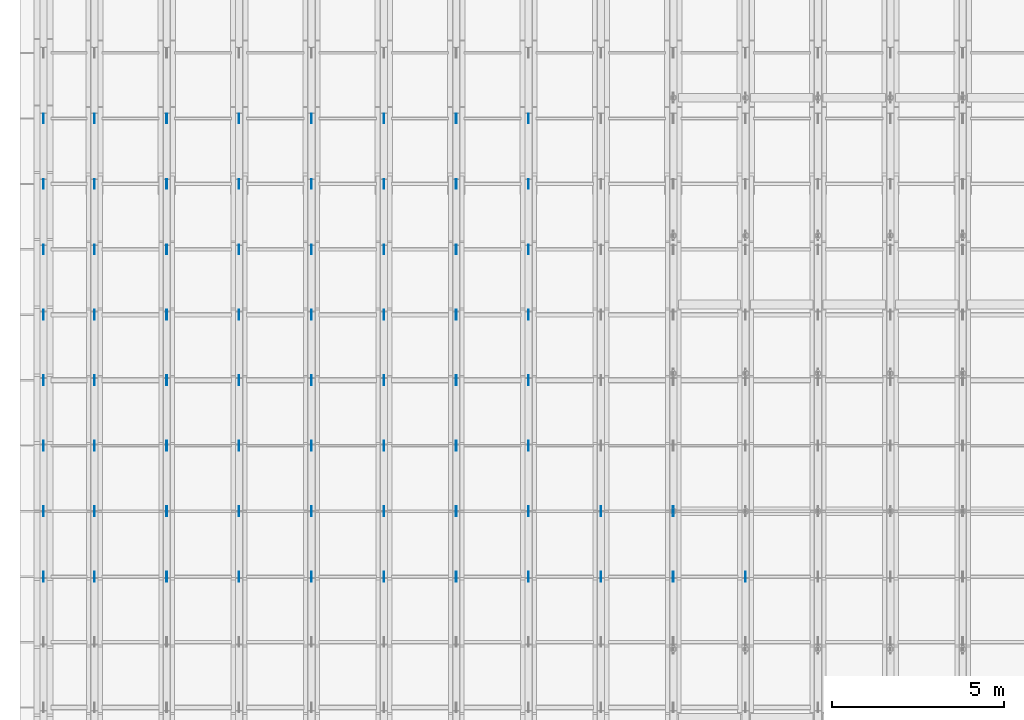
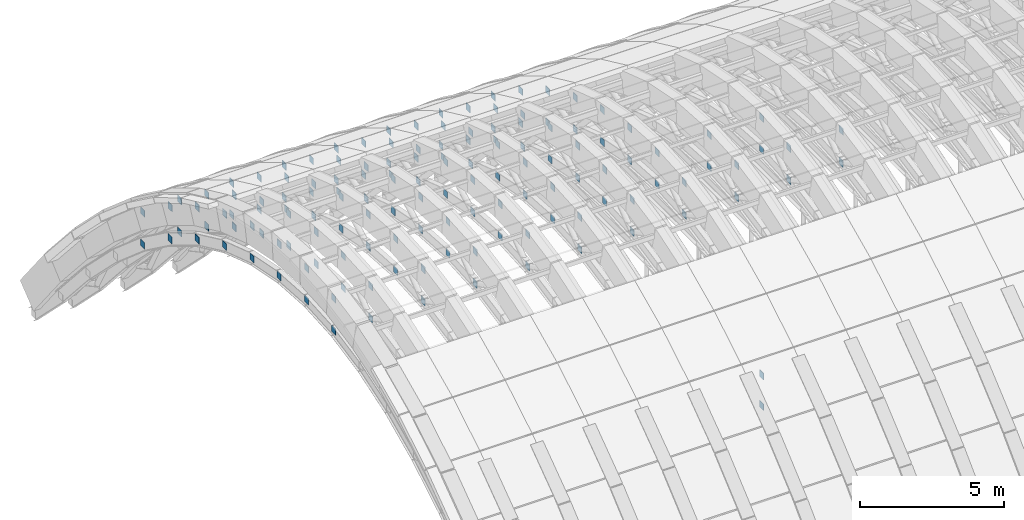
# One storey, part 60 of 67: 140 plates.
"""IFC4 building model written with IfcOpenShell, lengths in metres."""

import ifcopenshell
import ifcopenshell.guid

model = None  # the IFC model being written
_history = None  # IfcOwnerHistory: only IFC2X3 demands one
_inside = {}  # id of a spatial element -> (the spatial element, [elements in it])
_under = {}  # id of a project, library or spatial element -> (it, [spatial elements below it])
_declared = {}  # id of a project -> (the project, [libraries it declares])
_typed = {}  # id of a type object -> (the type object, [elements of that type])
_made_of = {}  # id of a material, layer set ... -> (it, [elements and type objects made of it])


def new_model(schema):
    """Start an empty IFC model of exactly this schema.

    Asked for "IFC4X3", IfcOpenShell would pick the latest addendum, in which some entities
    have other attributes; the version numbers below select the first issue.
    IFC2X3 requires an IfcOwnerHistory on every rooted entity: one is made here for all.
    """
    global model, _history
    if schema == "IFC4X3":
        model = ifcopenshell.file(schema_version=(4, 3, 0, 0))
    else:
        model = ifcopenshell.file(schema=schema)
    _inside.clear()
    _under.clear()
    _declared.clear()
    _typed.clear()
    _made_of.clear()
    _history = None
    if model.schema == "IFC2X3":
        org = make("IfcOrganization", Name="unknown")
        user = make(
            "IfcPersonAndOrganization",
            ThePerson=make("IfcPerson", FamilyName="unknown"),
            TheOrganization=org,
        )
        app = make(
            "IfcApplication",
            ApplicationDeveloper=org,
            Version="unknown",
            ApplicationFullName="unknown",
            ApplicationIdentifier="unknown",
        )
        _history = make(
            "IfcOwnerHistory",
            OwningUser=user,
            OwningApplication=app,
            ChangeAction="ADDED",
            CreationDate=0,
        )
    return model


def make(cls, **values):
    """One entity of the class cls with the attributes given. An attribute that is None is left unset."""
    return model.create_entity(
        cls, **{name: value for name, value in values.items() if value is not None}
    )


def rooted(cls, **values):
    """An entity with a GlobalId (a new one), such as an element, a storey or a relation."""
    return make(cls, GlobalId=ifcopenshell.guid.new(), OwnerHistory=_history, **values)


def si_unit(unit_type, name, prefix=None):
    """IfcSIUnit, for example si_unit("LENGTHUNIT", "METRE", prefix="MILLI")."""
    return make("IfcSIUnit", UnitType=unit_type, Prefix=prefix, Name=name)


def assignment(units):
    """IfcUnitAssignment: the units of a project."""
    return None if units is None else make("IfcUnitAssignment", Units=units)


def point(xyz):
    """IfcCartesianPoint."""
    return None if xyz is None else make("IfcCartesianPoint", Coordinates=xyz)


def direction(xyz):
    """IfcDirection."""
    return None if xyz is None else make("IfcDirection", DirectionRatios=xyz)


def frame(location, z_axis=None, x_axis=None):
    """IfcAxis2Placement3D, a coordinate frame: its origin and axes. An axis left out is left unset."""
    return make(
        "IfcAxis2Placement3D",
        Location=point(location),
        Axis=direction(z_axis),
        RefDirection=direction(x_axis),
    )


def frame_2d(location, x_axis=None):
    """IfcAxis2Placement2D, a coordinate frame in the plane: its origin and x axis."""
    return make(
        "IfcAxis2Placement2D", Location=point(location), RefDirection=direction(x_axis)
    )


def origin():
    """The frame at (0, 0, 0) with its axes left unset."""
    return frame((0.0, 0.0, 0.0))


def origin_2d():
    """The frame at (0, 0) in the plane with its x axis left unset."""
    return frame_2d((0.0, 0.0))


def place(relative_to, where):
    """IfcLocalPlacement: puts the frame where relative to a parent placement (None: the world)."""
    return make(
        "IfcLocalPlacement", PlacementRelTo=relative_to, RelativePlacement=where
    )


def context(
    kind, dimensions, precision=None, world=None, true_north=None, identifier=None
):
    """IfcGeometricRepresentationContext, for example the 3D "Model" context."""
    return make(
        "IfcGeometricRepresentationContext",
        ContextIdentifier=identifier,
        ContextType=kind,
        CoordinateSpaceDimension=dimensions,
        Precision=precision,
        WorldCoordinateSystem=world,
        TrueNorth=true_north,
    )


def subcontext(parent, identifier, kind, view, scale=None):
    """IfcGeometricRepresentationSubContext, for example "Body" below "Model"."""
    return make(
        "IfcGeometricRepresentationSubContext",
        ContextIdentifier=identifier,
        ContextType=kind,
        ParentContext=parent,
        TargetScale=scale,
        TargetView=view,
    )


def project(units=None, contexts=None):
    """IfcProject with its units and contexts."""
    return rooted(
        "IfcProject",
        Name="project",
        RepresentationContexts=contexts,
        UnitsInContext=assignment(units),
    )


def spatial(cls, under=None, at=None, **own):
    """A site, building, storey or space (cls), placed at a placement, below another one or the project."""
    s = rooted(cls, ObjectPlacement=at, **own)
    if under is not None:
        _under.setdefault(under.id(), (under, []))[1].append(s)
    return s


def profile(cls, at=None, kind="AREA", **sizes):
    """A parametric profile (cls). Its sizes go by their IFC names, for example OverallWidth=200.0."""
    return make(cls, ProfileType=kind, Position=at, **sizes)


def rectangle(**sizes):
    """IfcRectangleProfileDef."""
    return profile("IfcRectangleProfileDef", **sizes)


def extrude(swept, where, along, depth):
    """IfcExtrudedAreaSolid: the profile swept, set in the frame where, extruded along a direction by depth."""
    return make(
        "IfcExtrudedAreaSolid",
        SweptArea=swept,
        Position=where,
        ExtrudedDirection=direction(along),
        Depth=depth,
    )


def shape(context_of_items, identifier, shape_type, items):
    """IfcShapeRepresentation: the items that make up one representation, for example the "Body"."""
    return make(
        "IfcShapeRepresentation",
        ContextOfItems=context_of_items,
        RepresentationIdentifier=identifier,
        RepresentationType=shape_type,
        Items=items,
    )


def material(Name=None, Category=None):
    """IfcMaterial."""
    return make("IfcMaterial", Name=Name, Category=Category)


def layer(
    of_material, thickness, ventilated=None, Name=None, Category=None, Priority=None
):
    """IfcMaterialLayer: one layer of a wall or slab, of a material (None: an air gap)."""
    return make(
        "IfcMaterialLayer",
        Material=of_material,
        LayerThickness=thickness,
        IsVentilated=ventilated,
        Name=Name,
        Category=Category,
        Priority=Priority,
    )


def layer_set(layers, Name=None):
    """IfcMaterialLayerSet."""
    return make("IfcMaterialLayerSet", MaterialLayers=layers, LayerSetName=Name)


def made_of(thing, what):
    """Note that an element or type object is made of a material, layer set ...; save() writes the relation."""
    if what is not None:
        _made_of.setdefault(what.id(), (what, []))[1].append(thing)
    return thing


def type_object(cls, material=None, **own):
    """A type object (cls), such as IfcWallType, which elements share."""
    return made_of(rooted(cls, **own), material)


def element(
    cls,
    number,
    at=None,
    inside=None,
    cuts=None,
    type_object=None,
    material=None,
    context=None,
    identifier="Body",
    shape_type=None,
    held_by="IfcProductDefinitionShape",
    body=None,
    shapes=None,
    **own,
):
    """One element of the class cls, such as IfcWall. Its Tag is "e" and its number.

    at: its placement. inside: the storey or other place that contains it. cuts: it is an
    opening in that element (IfcRelVoidsElement). A single representation is given by context,
    identifier, shape_type and body (its items); several are given by shapes. held_by: the class
    of the entity that holds the representations. save() writes the other relations.
    """
    e = rooted(cls, Tag="e%d" % number, ObjectPlacement=at, **own)
    if body is not None:
        shapes = [shape(context, identifier, shape_type, body)]
    if shapes is not None:
        e.Representation = make(held_by, Representations=shapes)
    if inside is not None:
        _inside.setdefault(inside.id(), (inside, []))[1].append(e)
    if cuts is not None:
        rooted(
            "IfcRelVoidsElement", RelatingBuildingElement=cuts, RelatedOpeningElement=e
        )
    if type_object is not None:
        _typed.setdefault(type_object.id(), (type_object, []))[1].append(e)
    return made_of(e, material)


def aggregate(whole, parts):
    """IfcRelAggregates: a whole, such as a stair, and the parts it consists of."""
    return rooted("IfcRelAggregates", RelatingObject=whole, RelatedObjects=parts)


def save(model, path):
    """Write the relations noted so far, then the file.

    IfcRelAggregates (storeys below a building ...), IfcRelContainedInSpatialStructure (elements
    in a storey), IfcRelDefinesByType, IfcRelAssociatesMaterial and IfcRelDeclares: one each for
    every whole, place, type object, material and project.
    """
    for whole, parts in _under.values():
        aggregate(whole, parts)
    for where, things in _inside.values():
        rooted(
            "IfcRelContainedInSpatialStructure",
            RelatedElements=things,
            RelatingStructure=where,
        )
    for kind, things in _typed.values():
        rooted("IfcRelDefinesByType", RelatedObjects=things, RelatingType=kind)
    for what, things in _made_of.values():
        rooted("IfcRelAssociatesMaterial", RelatedObjects=things, RelatingMaterial=what)
    for by, libraries in _declared.values():
        rooted("IfcRelDeclares", RelatingContext=by, RelatedDefinitions=libraries)
    model.write(path)


model = new_model("IFC4")

# Units and contexts
model_context = context("Model", 3, precision=1e-05, world=origin(), true_north=direction((0.0, 1.0)))
body_context = subcontext(model_context, "Body", "Model", "MODEL_VIEW")
ifc_project = project(units=[si_unit("LENGTHUNIT", "METRE"), si_unit("AREAUNIT", "SQUARE_METRE"), si_unit("VOLUMEUNIT", "CUBIC_METRE"), si_unit("PLANEANGLEUNIT", "RADIAN"), si_unit("MASSUNIT", "GRAM", prefix="KILO")], contexts=[model_context])

# Site, building, storey
site_placement = place(None, origin())
site = spatial("IfcSite", under=ifc_project, at=site_placement, CompositionType="ELEMENT")
building_placement = place(site_placement, origin())
building = spatial("IfcBuilding", under=site, at=building_placement, Name="Shengluoqiao Park Theatre", CompositionType="ELEMENT")
storey_placement = place(building_placement, frame((0.0, 0.0, 28.60009765625)))
storey = spatial("IfcBuildingStorey", under=building, at=storey_placement, Name="Roof", CompositionType="ELEMENT", Elevation=28.60009765625)

# Plates
ifc_material = material(Name="Steel Q355", Category="steel")
ifc_layer = layer(ifc_material, 0.013916015625, Name="Steel Q355")
ifc_layer_set = layer_set([ifc_layer], Name="Steel Q355")
plate_type = type_object("IfcPlateType", Name="STR-PLT-EC-280", PredefinedType="SHEET", material=ifc_layer_set)
for number, where, z_axis, x_axis, name in (
    (1, (45.02001953125, 93.10009765625, 2.31396484375), (0.0, 0.0, 1.0), (1.0, 0.0, 0.0), "Arch Truss Node Gusset Plate R01-U09"),
    (2, (45.02001953125, 93.10009765625, 0.9541015625), (0.0, 0.0, 1.0), (1.0, 0.0, 0.0), "Arch Truss Node Gusset Plate R01-L09"),
    (3, (45.02001953125, 95.0, 2.43994140625), (0.0, 0.0, 1.0), (1.0, 0.0, 0.0), "Arch Truss Node Gusset Plate R01-U10"),
    (4, (45.02001953125, 95.0, 1.080078125), (0.0, 0.0, 1.0), (1.0, 0.0, 0.0), "Arch Truss Node Gusset Plate R01-L10"),
    (5, (45.02001953125, 96.89990234375, 2.31396484375), (0.0, 0.0, 1.0), (1.0, 0.0, 0.0), "Arch Truss Node Gusset Plate R01-U11"),
    (6, (45.02001953125, 96.89990234375, 0.9541015625), (0.0, 0.0, 1.0), (1.0, 0.0, 0.0), "Arch Truss Node Gusset Plate R01-L11"),
    (7, (45.02001953125, 98.800048828125, 1.93603515625), (0.0, 0.0, 1.0), (1.0, 0.0, 0.0), "Arch Truss Node Gusset Plate R01-U12"),
    (8, (45.02001953125, 98.800048828125, 0.57568359375), (0.0, 0.0, 1.0), (1.0, 0.0, 0.0), "Arch Truss Node Gusset Plate R01-L12"),
    (9, (45.02001953125, 100.699951171875, 1.3056640625), (0.0, 0.0, 1.0), (1.0, 0.0, 0.0), "Arch Truss Node Gusset Plate R01-U13"),
    (10, (45.02001953125, 100.699951171875, -0.05419921875), (0.0, 0.0, 1.0), (1.0, 0.0, 0.0), "Arch Truss Node Gusset Plate R01-L13"),
    (11, (45.02001953125, 102.60009765625, 0.423828125), (0.0, 0.0, 1.0), (1.0, 0.0, 0.0), "Arch Truss Node Gusset Plate R01-U14"),
    (12, (45.02001953125, 102.60009765625, -0.93603515625), (0.0, 0.0, 1.0), (1.0, 0.0, 0.0), "Arch Truss Node Gusset Plate R01-L14"),
    (13, (45.02001953125, 104.5, -0.7099609375), (0.0, 0.0, 1.0), (1.0, 0.0, 0.0), "Arch Truss Node Gusset Plate R01-U15"),
    (14, (45.02001953125, 104.5, -2.0703125), (0.0, 0.0, 1.0), (1.0, 0.0, 0.0), "Arch Truss Node Gusset Plate R01-L15"),
    (15, (45.02001953125, 106.39990234375, -2.09619140625), (0.0, 0.0, 1.0), (1.0, 0.0, 0.0), "Arch Truss Node Gusset Plate R01-U16"),
    (16, (45.02001953125, 106.39990234375, -3.4560546875), (0.0, 0.0, 1.0), (1.0, 0.0, 0.0), "Arch Truss Node Gusset Plate R01-L16"),
    (17, (46.5, 93.10009765625, 2.31396484375), (0.0, 0.0, 1.0), (1.0, 0.0, 0.0), "Arch Truss Node Gusset Plate R02-U09"),
    (18, (46.5, 93.10009765625, 0.9541015625), (0.0, 0.0, 1.0), (1.0, 0.0, 0.0), "Arch Truss Node Gusset Plate R02-L09"),
    (19, (46.5, 95.0, 2.43994140625), (0.0, 0.0, 1.0), (1.0, 0.0, 0.0), "Arch Truss Node Gusset Plate R02-U10"),
    (20, (46.5, 95.0, 1.080078125), (0.0, 0.0, 1.0), (1.0, 0.0, 0.0), "Arch Truss Node Gusset Plate R02-L10"),
    (21, (46.5, 96.89990234375, 2.31396484375), (0.0, 0.0, 1.0), (1.0, 0.0, 0.0), "Arch Truss Node Gusset Plate R02-U11"),
    (22, (46.5, 96.89990234375, 0.9541015625), (0.0, 0.0, 1.0), (1.0, 0.0, 0.0), "Arch Truss Node Gusset Plate R02-L11"),
    (23, (46.5, 98.800048828125, 1.93603515625), (0.0, 0.0, 1.0), (1.0, 0.0, 0.0), "Arch Truss Node Gusset Plate R02-U12"),
    (24, (46.5, 98.800048828125, 0.57568359375), (0.0, 0.0, 1.0), (1.0, 0.0, 0.0), "Arch Truss Node Gusset Plate R02-L12"),
    (25, (46.5, 100.699951171875, 1.3056640625), (0.0, 0.0, 1.0), (1.0, 0.0, 0.0), "Arch Truss Node Gusset Plate R02-U13"),
    (26, (46.5, 100.699951171875, -0.05419921875), (0.0, 0.0, 1.0), (1.0, 0.0, 0.0), "Arch Truss Node Gusset Plate R02-L13"),
    (27, (46.5, 102.60009765625, 0.423828125), (0.0, 0.0, 1.0), (1.0, 0.0, 0.0), "Arch Truss Node Gusset Plate R02-U14"),
    (28, (46.5, 102.60009765625, -0.93603515625), (0.0, 0.0, 1.0), (1.0, 0.0, 0.0), "Arch Truss Node Gusset Plate R02-L14"),
    (29, (46.5, 104.5, -0.7099609375), (0.0, 0.0, 1.0), (1.0, 0.0, 0.0), "Arch Truss Node Gusset Plate R02-U15"),
    (30, (46.5, 104.5, -2.0703125), (0.0, 0.0, 1.0), (1.0, 0.0, 0.0), "Arch Truss Node Gusset Plate R02-L15"),
    (31, (46.5, 106.39990234375, -2.09619140625), (0.0, 0.0, 1.0), (1.0, 0.0, 0.0), "Arch Truss Node Gusset Plate R02-U16"),
    (32, (46.5, 106.39990234375, -3.4560546875), (0.0, 0.0, 1.0), (1.0, 0.0, 0.0), "Arch Truss Node Gusset Plate R02-L16"),
    (33, (48.60009765625, 93.10009765625, 2.31396484375), (0.0, 0.0, 1.0), (1.0, 0.0, 0.0), "Arch Truss Node Gusset Plate R03-U09"),
    (34, (48.60009765625, 93.10009765625, 0.9541015625), (0.0, 0.0, 1.0), (1.0, 0.0, 0.0), "Arch Truss Node Gusset Plate R03-L09"),
    (35, (48.60009765625, 95.0, 2.43994140625), (0.0, 0.0, 1.0), (1.0, 0.0, 0.0), "Arch Truss Node Gusset Plate R03-U10"),
    (36, (48.60009765625, 95.0, 1.080078125), (0.0, 0.0, 1.0), (1.0, 0.0, 0.0), "Arch Truss Node Gusset Plate R03-L10"),
    (37, (48.60009765625, 96.89990234375, 2.31396484375), (0.0, 0.0, 1.0), (1.0, 0.0, 0.0), "Arch Truss Node Gusset Plate R03-U11"),
    (38, (48.60009765625, 96.89990234375, 0.9541015625), (0.0, 0.0, 1.0), (1.0, 0.0, 0.0), "Arch Truss Node Gusset Plate R03-L11"),
    (39, (48.60009765625, 98.800048828125, 1.93603515625), (0.0, 0.0, 1.0), (1.0, 0.0, 0.0), "Arch Truss Node Gusset Plate R03-U12"),
    (40, (48.60009765625, 98.800048828125, 0.57568359375), (0.0, 0.0, 1.0), (1.0, 0.0, 0.0), "Arch Truss Node Gusset Plate R03-L12"),
    (41, (48.60009765625, 100.699951171875, 1.3056640625), (0.0, 0.0, 1.0), (1.0, 0.0, 0.0), "Arch Truss Node Gusset Plate R03-U13"),
    (42, (48.60009765625, 100.699951171875, -0.05419921875), (0.0, 0.0, 1.0), (1.0, 0.0, 0.0), "Arch Truss Node Gusset Plate R03-L13"),
    (43, (48.60009765625, 102.60009765625, 0.423828125), (0.0, 0.0, 1.0), (1.0, 0.0, 0.0), "Arch Truss Node Gusset Plate R03-U14"),
    (44, (48.60009765625, 102.60009765625, -0.93603515625), (0.0, 0.0, 1.0), (1.0, 0.0, 0.0), "Arch Truss Node Gusset Plate R03-L14"),
    (45, (48.60009765625, 104.5, -0.7099609375), (0.0, 0.0, 1.0), (1.0, 0.0, 0.0), "Arch Truss Node Gusset Plate R03-U15"),
    (46, (48.60009765625, 104.5, -2.0703125), (0.0, 0.0, 1.0), (1.0, 0.0, 0.0), "Arch Truss Node Gusset Plate R03-L15"),
    (47, (48.60009765625, 106.39990234375, -2.09619140625), (0.0, 0.0, 1.0), (1.0, 0.0, 0.0), "Arch Truss Node Gusset Plate R03-U16"),
    (48, (48.60009765625, 106.39990234375, -3.4560546875), (0.0, 0.0, 1.0), (1.0, 0.0, 0.0), "Arch Truss Node Gusset Plate R03-L16"),
    (49, (50.699951171875, 93.10009765625, 2.31396484375), (0.0, 0.0, 1.0), (1.0, 0.0, 0.0), "Arch Truss Node Gusset Plate R04-U09"),
    (50, (50.699951171875, 93.10009765625, 0.9541015625), (0.0, 0.0, 1.0), (1.0, 0.0, 0.0), "Arch Truss Node Gusset Plate R04-L09"),
    (51, (50.699951171875, 95.0, 2.43994140625), (0.0, 0.0, 1.0), (1.0, 0.0, 0.0), "Arch Truss Node Gusset Plate R04-U10"),
    (52, (50.699951171875, 95.0, 1.080078125), (0.0, 0.0, 1.0), (1.0, 0.0, 0.0), "Arch Truss Node Gusset Plate R04-L10"),
    (53, (50.699951171875, 96.89990234375, 2.31396484375), (0.0, 0.0, 1.0), (1.0, 0.0, 0.0), "Arch Truss Node Gusset Plate R04-U11"),
    (54, (50.699951171875, 96.89990234375, 0.9541015625), (0.0, 0.0, 1.0), (1.0, 0.0, 0.0), "Arch Truss Node Gusset Plate R04-L11"),
    (55, (50.699951171875, 98.800048828125, 1.93603515625), (0.0, 0.0, 1.0), (1.0, 0.0, 0.0), "Arch Truss Node Gusset Plate R04-U12"),
    (56, (50.699951171875, 98.800048828125, 0.57568359375), (0.0, 0.0, 1.0), (1.0, 0.0, 0.0), "Arch Truss Node Gusset Plate R04-L12"),
    (57, (50.699951171875, 100.699951171875, 1.3056640625), (0.0, 0.0, 1.0), (1.0, 0.0, 0.0), "Arch Truss Node Gusset Plate R04-U13"),
    (58, (50.699951171875, 100.699951171875, -0.05419921875), (0.0, 0.0, 1.0), (1.0, 0.0, 0.0), "Arch Truss Node Gusset Plate R04-L13"),
    (59, (50.699951171875, 102.60009765625, 0.423828125), (0.0, 0.0, 1.0), (1.0, 0.0, 0.0), "Arch Truss Node Gusset Plate R04-U14"),
    (60, (50.699951171875, 102.60009765625, -0.93603515625), (0.0, 0.0, 1.0), (1.0, 0.0, 0.0), "Arch Truss Node Gusset Plate R04-L14"),
    (61, (50.699951171875, 104.5, -0.7099609375), (0.0, 0.0, 1.0), (1.0, 0.0, 0.0), "Arch Truss Node Gusset Plate R04-U15"),
    (62, (50.699951171875, 104.5, -2.0703125), (0.0, 0.0, 1.0), (1.0, 0.0, 0.0), "Arch Truss Node Gusset Plate R04-L15"),
    (63, (50.699951171875, 106.39990234375, -2.09619140625), (0.0, 0.0, 1.0), (1.0, 0.0, 0.0), "Arch Truss Node Gusset Plate R04-U16"),
    (64, (50.699951171875, 106.39990234375, -3.4560546875), (0.0, 0.0, 1.0), (1.0, 0.0, 0.0), "Arch Truss Node Gusset Plate R04-L16"),
    (65, (52.800048828125, 93.10009765625, 2.31396484375), (0.0, 0.0, 1.0), (1.0, 0.0, 0.0), "Arch Truss Node Gusset Plate R05-U09"),
    (66, (52.800048828125, 93.10009765625, 0.9541015625), (0.0, 0.0, 1.0), (1.0, 0.0, 0.0), "Arch Truss Node Gusset Plate R05-L09"),
    (67, (52.800048828125, 95.0, 2.43994140625), (0.0, 0.0, 1.0), (1.0, 0.0, 0.0), "Arch Truss Node Gusset Plate R05-U10"),
    (68, (52.800048828125, 95.0, 1.080078125), (0.0, 0.0, 1.0), (1.0, 0.0, 0.0), "Arch Truss Node Gusset Plate R05-L10"),
    (69, (52.800048828125, 96.89990234375, 2.31396484375), (0.0, 0.0, 1.0), (1.0, 0.0, 0.0), "Arch Truss Node Gusset Plate R05-U11"),
    (70, (52.800048828125, 96.89990234375, 0.9541015625), (0.0, 0.0, 1.0), (1.0, 0.0, 0.0), "Arch Truss Node Gusset Plate R05-L11"),
    (71, (52.800048828125, 98.800048828125, 1.93603515625), (0.0, 0.0, 1.0), (1.0, 0.0, 0.0), "Arch Truss Node Gusset Plate R05-U12"),
    (72, (52.800048828125, 98.800048828125, 0.57568359375), (0.0, 0.0, 1.0), (1.0, 0.0, 0.0), "Arch Truss Node Gusset Plate R05-L12"),
    (73, (52.800048828125, 100.699951171875, 1.3056640625), (0.0, 0.0, 1.0), (1.0, 0.0, 0.0), "Arch Truss Node Gusset Plate R05-U13"),
    (74, (52.800048828125, 100.699951171875, -0.05419921875), (0.0, 0.0, 1.0), (1.0, 0.0, 0.0), "Arch Truss Node Gusset Plate R05-L13"),
    (75, (52.800048828125, 102.60009765625, 0.423828125), (0.0, 0.0, 1.0), (1.0, 0.0, 0.0), "Arch Truss Node Gusset Plate R05-U14"),
    (76, (52.800048828125, 102.60009765625, -0.93603515625), (0.0, 0.0, 1.0), (1.0, 0.0, 0.0), "Arch Truss Node Gusset Plate R05-L14"),
    (77, (52.800048828125, 104.5, -0.7099609375), (0.0, 0.0, 1.0), (1.0, 0.0, 0.0), "Arch Truss Node Gusset Plate R05-U15"),
    (78, (52.800048828125, 104.5, -2.0703125), (0.0, 0.0, 1.0), (1.0, 0.0, 0.0), "Arch Truss Node Gusset Plate R05-L15"),
    (79, (52.800048828125, 106.39990234375, -2.09619140625), (0.0, 0.0, 1.0), (1.0, 0.0, 0.0), "Arch Truss Node Gusset Plate R05-U16"),
    (80, (52.800048828125, 106.39990234375, -3.4560546875), (0.0, 0.0, 1.0), (1.0, 0.0, 0.0), "Arch Truss Node Gusset Plate R05-L16"),
    (81, (54.89990234375, 93.10009765625, 2.31396484375), (0.0, 0.0, 1.0), (1.0, 0.0, 0.0), "Arch Truss Node Gusset Plate R06-U09"),
    (82, (54.89990234375, 93.10009765625, 0.9541015625), (0.0, 0.0, 1.0), (1.0, 0.0, 0.0), "Arch Truss Node Gusset Plate R06-L09"),
    (83, (54.89990234375, 95.0, 2.43994140625), (0.0, 0.0, 1.0), (1.0, 0.0, 0.0), "Arch Truss Node Gusset Plate R06-U10"),
    (84, (54.89990234375, 95.0, 1.080078125), (0.0, 0.0, 1.0), (1.0, 0.0, 0.0), "Arch Truss Node Gusset Plate R06-L10"),
    (85, (54.89990234375, 96.89990234375, 2.31396484375), (0.0, 0.0, 1.0), (1.0, 0.0, 0.0), "Arch Truss Node Gusset Plate R06-U11"),
    (86, (54.89990234375, 96.89990234375, 0.9541015625), (0.0, 0.0, 1.0), (1.0, 0.0, 0.0), "Arch Truss Node Gusset Plate R06-L11"),
    (87, (54.89990234375, 98.800048828125, 1.93603515625), (0.0, 0.0, 1.0), (1.0, 0.0, 0.0), "Arch Truss Node Gusset Plate R06-U12"),
    (88, (54.89990234375, 98.800048828125, 0.57568359375), (0.0, 0.0, 1.0), (1.0, 0.0, 0.0), "Arch Truss Node Gusset Plate R06-L12"),
    (89, (54.89990234375, 100.699951171875, 1.3056640625), (0.0, 0.0, 1.0), (1.0, 0.0, 0.0), "Arch Truss Node Gusset Plate R06-U13"),
    (90, (54.89990234375, 100.699951171875, -0.05419921875), (0.0, 0.0, 1.0), (1.0, 0.0, 0.0), "Arch Truss Node Gusset Plate R06-L13"),
    (91, (54.89990234375, 102.60009765625, 0.423828125), (0.0, 0.0, 1.0), (1.0, 0.0, 0.0), "Arch Truss Node Gusset Plate R06-U14"),
    (92, (54.89990234375, 102.60009765625, -0.93603515625), (0.0, 0.0, 1.0), (1.0, 0.0, 0.0), "Arch Truss Node Gusset Plate R06-L14"),
    (93, (54.89990234375, 104.5, -0.7099609375), (0.0, 0.0, 1.0), (1.0, 0.0, 0.0), "Arch Truss Node Gusset Plate R06-U15"),
    (94, (54.89990234375, 104.5, -2.0703125), (0.0, 0.0, 1.0), (1.0, 0.0, 0.0), "Arch Truss Node Gusset Plate R06-L15"),
    (95, (54.89990234375, 106.39990234375, -2.09619140625), (0.0, 0.0, 1.0), (1.0, 0.0, 0.0), "Arch Truss Node Gusset Plate R06-U16"),
    (96, (54.89990234375, 106.39990234375, -3.4560546875), (0.0, 0.0, 1.0), (1.0, 0.0, 0.0), "Arch Truss Node Gusset Plate R06-L16"),
    (97, (57.0, 93.10009765625, 2.31396484375), (0.0, 0.0, 1.0), (1.0, 0.0, 0.0), "Arch Truss Node Gusset Plate R07-U09"),
    (98, (57.0, 93.10009765625, 0.9541015625), (0.0, 0.0, 1.0), (1.0, 0.0, 0.0), "Arch Truss Node Gusset Plate R07-L09"),
    (99, (57.0, 95.0, 2.43994140625), (0.0, 0.0, 1.0), (1.0, 0.0, 0.0), "Arch Truss Node Gusset Plate R07-U10"),
    (100, (57.0, 95.0, 1.080078125), (0.0, 0.0, 1.0), (1.0, 0.0, 0.0), "Arch Truss Node Gusset Plate R07-L10"),
    (101, (57.0, 96.89990234375, 2.31396484375), (0.0, 0.0, 1.0), (1.0, 0.0, 0.0), "Arch Truss Node Gusset Plate R07-U11"),
    (102, (57.0, 96.89990234375, 0.9541015625), (0.0, 0.0, 1.0), (1.0, 0.0, 0.0), "Arch Truss Node Gusset Plate R07-L11"),
    (103, (57.0, 98.800048828125, 1.93603515625), (0.0, 0.0, 1.0), (1.0, 0.0, 0.0), "Arch Truss Node Gusset Plate R07-U12"),
    (104, (57.0, 98.800048828125, 0.57568359375), (0.0, 0.0, 1.0), (1.0, 0.0, 0.0), "Arch Truss Node Gusset Plate R07-L12"),
    (105, (57.0, 100.699951171875, 1.3056640625), (0.0, 0.0, 1.0), (1.0, 0.0, 0.0), "Arch Truss Node Gusset Plate R07-U13"),
    (106, (57.0, 100.699951171875, -0.05419921875), (0.0, 0.0, 1.0), (1.0, 0.0, 0.0), "Arch Truss Node Gusset Plate R07-L13"),
    (107, (57.0, 102.60009765625, 0.423828125), (0.0, 0.0, 1.0), (1.0, 0.0, 0.0), "Arch Truss Node Gusset Plate R07-U14"),
    (108, (57.0, 102.60009765625, -0.93603515625), (0.0, 0.0, 1.0), (1.0, 0.0, 0.0), "Arch Truss Node Gusset Plate R07-L14"),
    (109, (57.0, 104.5, -0.7099609375), (0.0, 0.0, 1.0), (1.0, 0.0, 0.0), "Arch Truss Node Gusset Plate R07-U15"),
    (110, (57.0, 104.5, -2.0703125), (0.0, 0.0, 1.0), (1.0, 0.0, 0.0), "Arch Truss Node Gusset Plate R07-L15"),
    (111, (57.0, 106.39990234375, -2.09619140625), (0.0, 0.0, 1.0), (1.0, 0.0, 0.0), "Arch Truss Node Gusset Plate R07-U16"),
    (112, (57.0, 106.39990234375, -3.4560546875), (0.0, 0.0, 1.0), (1.0, 0.0, 0.0), "Arch Truss Node Gusset Plate R07-L16"),
    (113, (59.10009765625, 93.10009765625, 2.31396484375), (0.0, 0.0, 1.0), (1.0, 0.0, 0.0), "Arch Truss Node Gusset Plate R08-U09"),
    (114, (59.10009765625, 93.10009765625, 0.9541015625), (0.0, 0.0, 1.0), (1.0, 0.0, 0.0), "Arch Truss Node Gusset Plate R08-L09"),
    (115, (59.10009765625, 95.0, 2.43994140625), (0.0, 0.0, 1.0), (1.0, 0.0, 0.0), "Arch Truss Node Gusset Plate R08-U10"),
    (116, (59.10009765625, 95.0, 1.080078125), (0.0, 0.0, 1.0), (1.0, 0.0, 0.0), "Arch Truss Node Gusset Plate R08-L10"),
    (117, (59.10009765625, 96.89990234375, 2.31396484375), (0.0, 0.0, 1.0), (1.0, 0.0, 0.0), "Arch Truss Node Gusset Plate R08-U11"),
    (118, (59.10009765625, 96.89990234375, 0.9541015625), (0.0, 0.0, 1.0), (1.0, 0.0, 0.0), "Arch Truss Node Gusset Plate R08-L11"),
    (119, (59.10009765625, 98.800048828125, 1.93603515625), (0.0, 0.0, 1.0), (1.0, 0.0, 0.0), "Arch Truss Node Gusset Plate R08-U12"),
    (120, (59.10009765625, 98.800048828125, 0.57568359375), (0.0, 0.0, 1.0), (1.0, 0.0, 0.0), "Arch Truss Node Gusset Plate R08-L12"),
    (121, (59.10009765625, 100.699951171875, 1.3056640625), (0.0, 0.0, 1.0), (1.0, 0.0, 0.0), "Arch Truss Node Gusset Plate R08-U13"),
    (122, (59.10009765625, 100.699951171875, -0.05419921875), (0.0, 0.0, 1.0), (1.0, 0.0, 0.0), "Arch Truss Node Gusset Plate R08-L13"),
    (123, (59.10009765625, 102.60009765625, 0.423828125), (0.0, 0.0, 1.0), (1.0, 0.0, 0.0), "Arch Truss Node Gusset Plate R08-U14"),
    (124, (59.10009765625, 102.60009765625, -0.93603515625), (0.0, 0.0, 1.0), (1.0, 0.0, 0.0), "Arch Truss Node Gusset Plate R08-L14"),
    (125, (59.10009765625, 104.5, -0.7099609375), (0.0, 0.0, 1.0), (1.0, 0.0, 0.0), "Arch Truss Node Gusset Plate R08-U15"),
    (126, (59.10009765625, 104.5, -2.0703125), (0.0, 0.0, 1.0), (1.0, 0.0, 0.0), "Arch Truss Node Gusset Plate R08-L15"),
    (127, (59.10009765625, 106.39990234375, -2.09619140625), (0.0, 0.0, 1.0), (1.0, 0.0, 0.0), "Arch Truss Node Gusset Plate R08-U16"),
    (128, (59.10009765625, 106.39990234375, -3.4560546875), (0.0, 0.0, 1.0), (1.0, 0.0, 0.0), "Arch Truss Node Gusset Plate R08-L16"),
    (129, (61.199951171875, 93.10009765625, 2.31396484375), (0.0, 0.0, 1.0), (1.0, 0.0, 0.0), "Arch Truss Node Gusset Plate R09-U09"),
    (130, (61.199951171875, 93.10009765625, 0.9541015625), (0.0, 0.0, 1.0), (1.0, 0.0, 0.0), "Arch Truss Node Gusset Plate R09-L09"),
    (131, (61.199951171875, 95.0, 2.43994140625), (0.0, 0.0, 1.0), (1.0, 0.0, 0.0), "Arch Truss Node Gusset Plate R09-U10"),
    (132, (61.199951171875, 95.0, 1.080078125), (0.0, 0.0, 1.0), (1.0, 0.0, 0.0), "Arch Truss Node Gusset Plate R09-L10"),
    (133, (63.300048828125, 93.10009765625, 2.31396484375), (0.0, 0.0, 1.0), (1.0, 0.0, 0.0), "Arch Truss Node Gusset Plate R10-U09"),
    (134, (63.300048828125, 93.10009765625, 0.9541015625), (0.0, 0.0, 1.0), (1.0, 0.0, 0.0), "Arch Truss Node Gusset Plate R10-L09"),
    (135, (63.300048828125, 95.0, 2.43994140625), (0.0, 0.0, 1.0), (1.0, 0.0, 0.0), "Arch Truss Node Gusset Plate R10-U10"),
    (136, (63.300048828125, 95.0, 1.080078125), (0.0, 0.0, 1.0), (1.0, 0.0, 0.0), "Arch Truss Node Gusset Plate R10-L10"),
    (137, (65.39990234375, 93.10009765625, 2.31396484375), (0.0, 0.0, 1.0), (1.0, 0.0, 0.0), "Arch Truss Node Gusset Plate R11-U09"),
    (138, (65.39990234375, 93.10009765625, 0.9541015625), (0.0, 0.0, 1.0), (1.0, 0.0, 0.0), "Arch Truss Node Gusset Plate R11-L09"),
    (139, (63.300048828125, 95.0, -9.7900390625), (0.0, 0.0, 1.0), (1.0, 0.0, 0.0), "Tie Truss Node Gusset Plate R10-B04"),
    (140, (63.300048828125, 95.0, -8.490234375), (0.0, 0.0, 1.0), (1.0, 0.0, 0.0), "Tie Truss Node Gusset Plate R10-T04"),
):
    element("IfcPlate", number, at=place(storey_placement, frame(where, z_axis=z_axis, x_axis=x_axis)), inside=storey, type_object=plate_type, Name=name, PredefinedType="SHEET", context=body_context, shape_type="SweptSolid", body=[
        extrude(rectangle(XDim=0.01806640625, YDim=0.280029296875, at=origin_2d()), origin(), (0.0, 0.0, 1.0), 0.280029296875),
    ])

save(model, "model.ifc")
